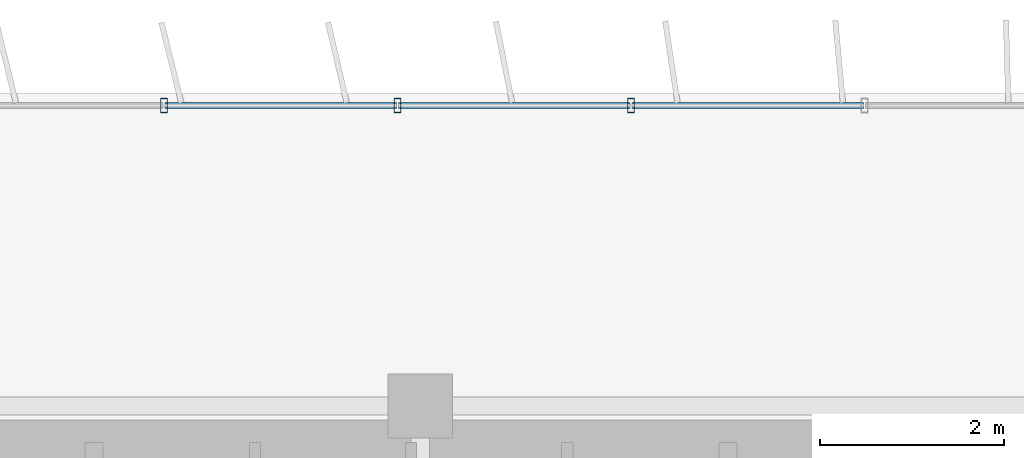
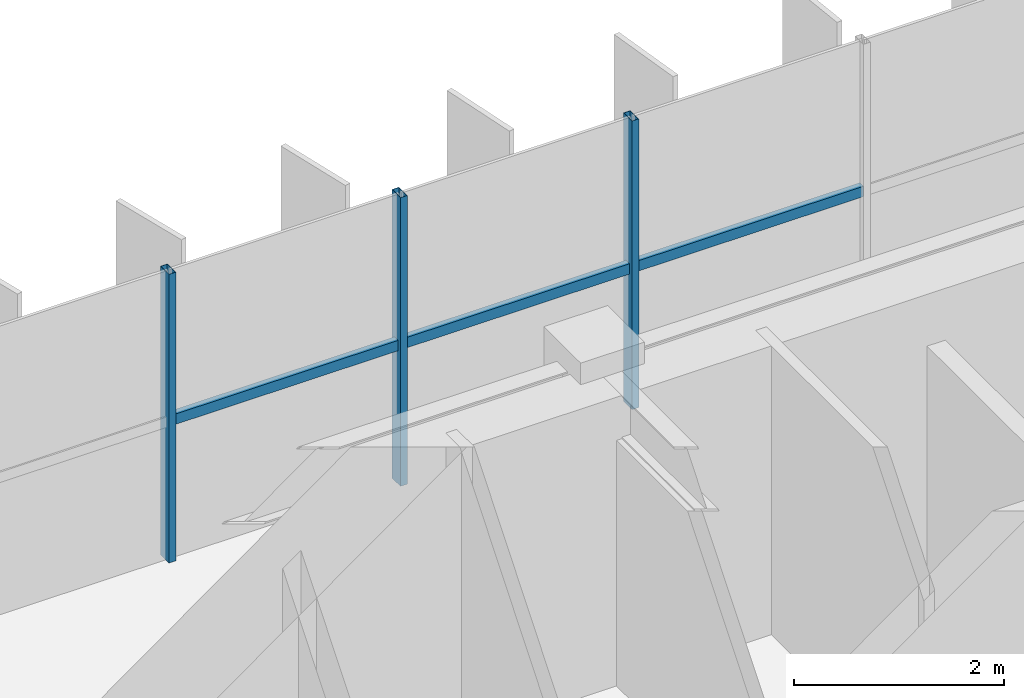
# One storey, part 9 of 20: 6 members, 1 element without a shape of its own.
"""IFC4 building model written with IfcOpenShell, lengths in metres."""

from ifc_helpers import new_model, si_unit, direction, frame, origin, origin_2d, place, context, subcontext, project, spatial, hollow_rectangle, extrude, source, transform, mapped, material, material_profile, profile_set, type_object, element, aggregate, save


model = new_model("IFC4")

# Units and contexts
model_context = context("Model", 3, precision=1e-05, world=origin(), true_north=direction((0.0, 1.0)))
body_context = subcontext(model_context, "Body", "Model", "MODEL_VIEW")
ifc_project = project(units=[si_unit("LENGTHUNIT", "METRE"), si_unit("AREAUNIT", "SQUARE_METRE"), si_unit("VOLUMEUNIT", "CUBIC_METRE"), si_unit("PLANEANGLEUNIT", "RADIAN"), si_unit("MASSUNIT", "GRAM", prefix="KILO")], contexts=[model_context])

# Site, building, storey
site_placement = place(None, origin())
site = spatial("IfcSite", under=ifc_project, at=site_placement, CompositionType="ELEMENT")
building_placement = place(site_placement, origin())
building = spatial("IfcBuilding", under=site, at=building_placement, Name="Trelvane Seafront Commons", CompositionType="ELEMENT")
storey_placement = place(building_placement, frame((0.0, 0.0, 146.5)))
storey = spatial("IfcBuildingStorey", under=building, at=storey_placement, Name="L38", CompositionType="ELEMENT", Elevation=146.5)

# Curtain wall, members
ifc_material = material(Name="Anodised pale-silver aluminium", Category="aluminium")
curtain_wall_type = type_object("IfcCurtainWallType", Name="ARCH-CW5-UPTOWER", PredefinedType="NOTDEFINED", material=ifc_material)
curtain_wall_placement = place(storey_placement, origin())
curtain_wall = element("IfcCurtainWall", 1, at=curtain_wall_placement, inside=storey, type_object=curtain_wall_type, Name="CW-L38-0065", PredefinedType="NOTDEFINED")
ifc_material_profile_1 = material_profile(ifc_material, hollow_rectangle(XDim=0.070068359375, YDim=0.1201171875, WallThickness=0.00390625, at=origin_2d()), Name="TRAN-70x120x4")
ifc_profile_set_1 = profile_set([ifc_material_profile_1], Name="Anodised pale-silver aluminium")
member_type_1 = type_object("IfcMemberType", Name="ARCH-CW-TRAN-120", PredefinedType="USERDEFINED", material=ifc_profile_set_1)
shared_shape_1 = source(origin(), body_context, "Body", "SweptSolid", [
    extrude(hollow_rectangle(XDim=0.070068359375, YDim=0.1201171875, WallThickness=0.00390625, at=origin_2d()), origin(), (0.0, 0.0, 1.0), 2.51708984375),
])
member_1_placement = place(storey_placement, frame((43.56494140625, 48.3701171875, 1.60791015625), z_axis=(1.0, 0.0, 0.0), x_axis=(0.0, 1.0, 0.0)))
member_1 = element("IfcMember", 2, at=member_1_placement, type_object=member_type_1, Name="CW-L38-0065-T11", ObjectType="TRANSOM", PredefinedType="USERDEFINED", context=body_context, shape_type="MappedRepresentation", body=[
    mapped(shared_shape_1, transform((0.0, 0.0, 0.0), x_axis=(1.0, 0.0, 0.0), y_axis=(0.0, 1.0, 0.0), z_axis=(0.0, 0.0, 1.0), scale=1.0)),
])
member_2_placement = place(storey_placement, frame((46.106201171875, 48.3701171875, 1.60791015625), z_axis=(1.0, 0.0, 0.0), x_axis=(0.0, 1.0, 0.0)))
member_2 = element("IfcMember", 3, at=member_2_placement, type_object=member_type_1, Name="CW-L38-0065-T12", ObjectType="TRANSOM", PredefinedType="USERDEFINED", context=body_context, shape_type="MappedRepresentation", body=[
    mapped(shared_shape_1, transform((0.0, 0.0, 0.0), x_axis=(1.0, 0.0, 0.0), y_axis=(0.0, 1.0, 0.0), z_axis=(0.0, 0.0, 1.0), scale=1.0)),
])
shared_shape_2 = source(origin(), body_context, "Body", "SweptSolid", [
    extrude(hollow_rectangle(XDim=0.070068359375, YDim=0.1201171875, WallThickness=0.00390625, at=origin_2d()), origin(), (0.0, 0.0, 1.0), 2.517333984375),
])
member_3_placement = place(storey_placement, frame((41.023681640625, 48.3701171875, 1.60791015625), z_axis=(1.0, 0.0, 0.0), x_axis=(0.0, 1.0, 0.0)))
member_3 = element("IfcMember", 4, at=member_3_placement, type_object=member_type_1, Name="CW-L38-0065-T10", ObjectType="TRANSOM", PredefinedType="USERDEFINED", context=body_context, shape_type="MappedRepresentation", body=[
    mapped(shared_shape_2, transform((0.0, 0.0, 0.0), x_axis=(1.0, 0.0, 0.0), y_axis=(0.0, 1.0, 0.0), z_axis=(0.0, 0.0, 1.0), scale=1.0)),
])
ifc_material_profile_2 = material_profile(ifc_material, hollow_rectangle(XDim=0.074951171875, YDim=0.159912109375, WallThickness=0.00390625, at=origin_2d()), Name="MULL-75x160x4")
ifc_profile_set_2 = profile_set([ifc_material_profile_2], Name="Anodised pale-silver aluminium")
member_type_2 = type_object("IfcMemberType", Name="ARCH-CW-MULL-160", PredefinedType="MULLION", material=ifc_profile_set_2)
shared_shape_3 = source(origin(), body_context, "Body", "SweptSolid", [
    extrude(hollow_rectangle(XDim=0.074951171875, YDim=0.159912109375, WallThickness=0.00390625, at=origin_2d()), origin(), (0.0, 0.0, 1.0), 3.35009765625),
])
member_4_placement = place(storey_placement, frame((41.01171875, 48.3701171875, 0.0), z_axis=(0.0, 0.0, 1.0), x_axis=(1.0, 0.0, 0.0)))
member_4 = element("IfcMember", 5, at=member_4_placement, type_object=member_type_2, Name="CW-L38-0065-M10", PredefinedType="MULLION", context=body_context, shape_type="MappedRepresentation", body=[
    mapped(shared_shape_3, transform((0.0, 0.0, 0.0), x_axis=(1.0, 0.0, 0.0), y_axis=(0.0, 1.0, 0.0), z_axis=(0.0, 0.0, 1.0), scale=1.0)),
])
member_5_placement = place(storey_placement, frame((43.552978515625, 48.3701171875, 0.0), z_axis=(0.0, 0.0, 1.0), x_axis=(1.0, 0.0, 0.0)))
member_5 = element("IfcMember", 6, at=member_5_placement, type_object=member_type_2, Name="CW-L38-0065-M11", PredefinedType="MULLION", context=body_context, shape_type="MappedRepresentation", body=[
    mapped(shared_shape_3, transform((0.0, 0.0, 0.0), x_axis=(1.0, 0.0, 0.0), y_axis=(0.0, 1.0, 0.0), z_axis=(0.0, 0.0, 1.0), scale=1.0)),
])
member_6_placement = place(storey_placement, frame((46.093994140625, 48.3701171875, 0.0), z_axis=(0.0, 0.0, 1.0), x_axis=(1.0, 0.0, 0.0)))
member_6 = element("IfcMember", 7, at=member_6_placement, type_object=member_type_2, Name="CW-L38-0065-M12", PredefinedType="MULLION", context=body_context, shape_type="MappedRepresentation", body=[
    mapped(shared_shape_3, transform((0.0, 0.0, 0.0), x_axis=(1.0, 0.0, 0.0), y_axis=(0.0, 1.0, 0.0), z_axis=(0.0, 0.0, 1.0), scale=1.0)),
])
aggregate(curtain_wall, [member_4, member_5, member_6, member_3, member_1, member_2])

save(model, "model.ifc")
